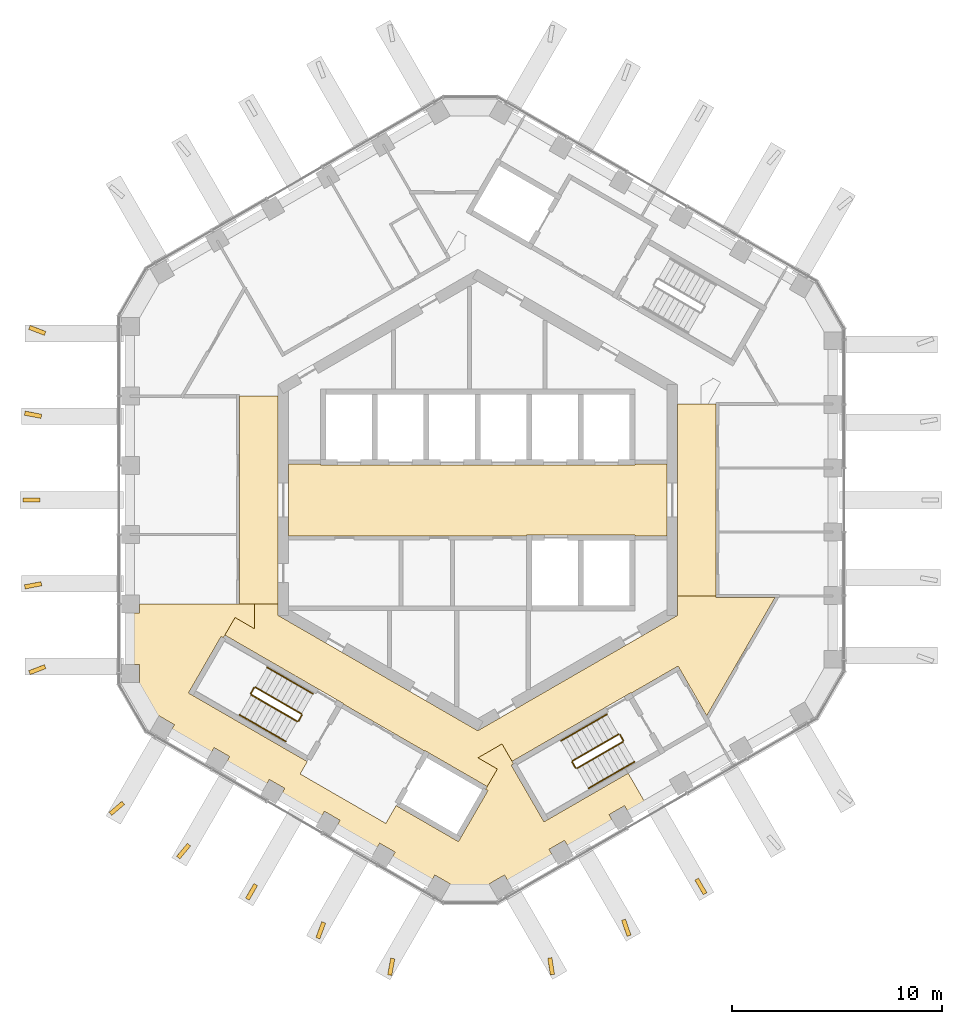
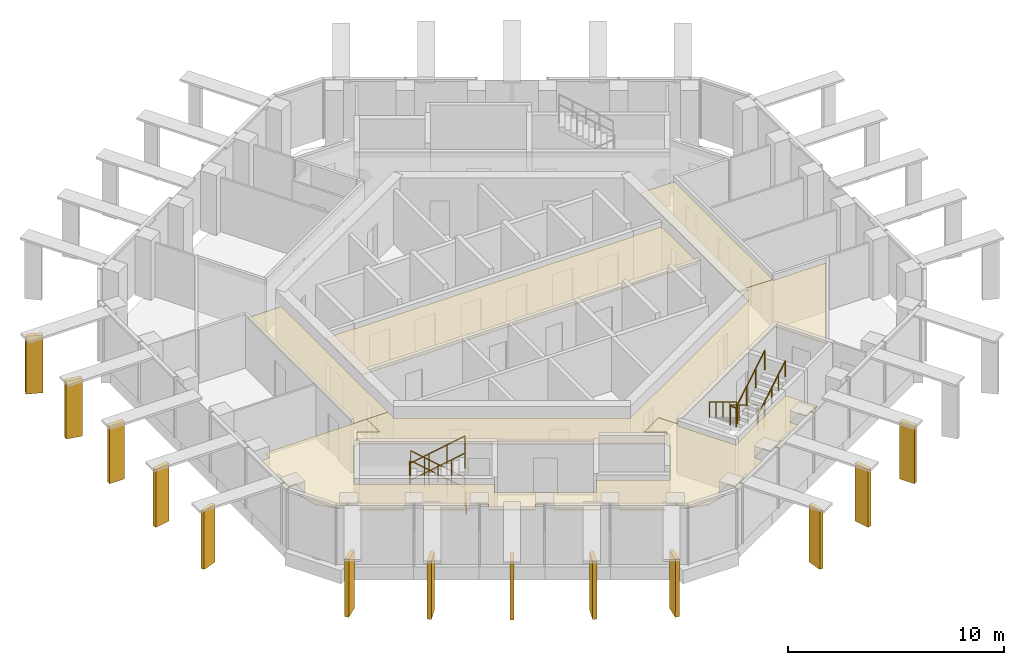
# One storey, part 16 of 18: 16 railings, 13 shading devices, 5 coverings.
"""IFC4 building model written with IfcOpenShell, lengths in metres."""

import ifcopenshell
import ifcopenshell.guid

model = None  # the IFC model being written
_history = None  # IfcOwnerHistory: only IFC2X3 demands one
_inside = {}  # id of a spatial element -> (the spatial element, [elements in it])
_under = {}  # id of a project, library or spatial element -> (it, [spatial elements below it])
_declared = {}  # id of a project -> (the project, [libraries it declares])
_typed = {}  # id of a type object -> (the type object, [elements of that type])
_made_of = {}  # id of a material, layer set ... -> (it, [elements and type objects made of it])


def new_model(schema):
    """Start an empty IFC model of exactly this schema.

    Asked for "IFC4X3", IfcOpenShell would pick the latest addendum, in which some entities
    have other attributes; the version numbers below select the first issue.
    IFC2X3 requires an IfcOwnerHistory on every rooted entity: one is made here for all.
    """
    global model, _history
    if schema == "IFC4X3":
        model = ifcopenshell.file(schema_version=(4, 3, 0, 0))
    else:
        model = ifcopenshell.file(schema=schema)
    _inside.clear()
    _under.clear()
    _declared.clear()
    _typed.clear()
    _made_of.clear()
    _history = None
    if model.schema == "IFC2X3":
        org = make("IfcOrganization", Name="unknown")
        user = make(
            "IfcPersonAndOrganization",
            ThePerson=make("IfcPerson", FamilyName="unknown"),
            TheOrganization=org,
        )
        app = make(
            "IfcApplication",
            ApplicationDeveloper=org,
            Version="unknown",
            ApplicationFullName="unknown",
            ApplicationIdentifier="unknown",
        )
        _history = make(
            "IfcOwnerHistory",
            OwningUser=user,
            OwningApplication=app,
            ChangeAction="ADDED",
            CreationDate=0,
        )
    return model


def make(cls, **values):
    """One entity of the class cls with the attributes given. An attribute that is None is left unset."""
    return model.create_entity(
        cls, **{name: value for name, value in values.items() if value is not None}
    )


def rooted(cls, **values):
    """An entity with a GlobalId (a new one), such as an element, a storey or a relation."""
    return make(cls, GlobalId=ifcopenshell.guid.new(), OwnerHistory=_history, **values)


def si_unit(unit_type, name, prefix=None):
    """IfcSIUnit, for example si_unit("LENGTHUNIT", "METRE", prefix="MILLI")."""
    return make("IfcSIUnit", UnitType=unit_type, Prefix=prefix, Name=name)


def assignment(units):
    """IfcUnitAssignment: the units of a project."""
    return None if units is None else make("IfcUnitAssignment", Units=units)


def point(xyz):
    """IfcCartesianPoint."""
    return None if xyz is None else make("IfcCartesianPoint", Coordinates=xyz)


def direction(xyz):
    """IfcDirection."""
    return None if xyz is None else make("IfcDirection", DirectionRatios=xyz)


def frame(location, z_axis=None, x_axis=None):
    """IfcAxis2Placement3D, a coordinate frame: its origin and axes. An axis left out is left unset."""
    return make(
        "IfcAxis2Placement3D",
        Location=point(location),
        Axis=direction(z_axis),
        RefDirection=direction(x_axis),
    )


def frame_2d(location, x_axis=None):
    """IfcAxis2Placement2D, a coordinate frame in the plane: its origin and x axis."""
    return make(
        "IfcAxis2Placement2D", Location=point(location), RefDirection=direction(x_axis)
    )


def origin():
    """The frame at (0, 0, 0) with its axes left unset."""
    return frame((0.0, 0.0, 0.0))


def origin_2d():
    """The frame at (0, 0) in the plane with its x axis left unset."""
    return frame_2d((0.0, 0.0))


def place(relative_to, where):
    """IfcLocalPlacement: puts the frame where relative to a parent placement (None: the world)."""
    return make(
        "IfcLocalPlacement", PlacementRelTo=relative_to, RelativePlacement=where
    )


def context(
    kind, dimensions, precision=None, world=None, true_north=None, identifier=None
):
    """IfcGeometricRepresentationContext, for example the 3D "Model" context."""
    return make(
        "IfcGeometricRepresentationContext",
        ContextIdentifier=identifier,
        ContextType=kind,
        CoordinateSpaceDimension=dimensions,
        Precision=precision,
        WorldCoordinateSystem=world,
        TrueNorth=true_north,
    )


def subcontext(parent, identifier, kind, view, scale=None):
    """IfcGeometricRepresentationSubContext, for example "Body" below "Model"."""
    return make(
        "IfcGeometricRepresentationSubContext",
        ContextIdentifier=identifier,
        ContextType=kind,
        ParentContext=parent,
        TargetScale=scale,
        TargetView=view,
    )


def project(units=None, contexts=None):
    """IfcProject with its units and contexts."""
    return rooted(
        "IfcProject",
        Name="project",
        RepresentationContexts=contexts,
        UnitsInContext=assignment(units),
    )


def spatial(cls, under=None, at=None, **own):
    """A site, building, storey or space (cls), placed at a placement, below another one or the project."""
    s = rooted(cls, ObjectPlacement=at, **own)
    if under is not None:
        _under.setdefault(under.id(), (under, []))[1].append(s)
    return s


def polyline(points):
    """IfcPolyline through the points."""
    return make("IfcPolyline", Points=[point(p) for p in points])


def profile(cls, at=None, kind="AREA", **sizes):
    """A parametric profile (cls). Its sizes go by their IFC names, for example OverallWidth=200.0."""
    return make(cls, ProfileType=kind, Position=at, **sizes)


def circle(**sizes):
    """IfcCircleProfileDef."""
    return profile("IfcCircleProfileDef", **sizes)


def outline(outer, holes=None, kind="AREA"):
    """IfcArbitraryClosedProfileDef: a profile drawn as a closed curve; with holes, ...WithVoids."""
    if holes is None:
        return make("IfcArbitraryClosedProfileDef", ProfileType=kind, OuterCurve=outer)
    return make(
        "IfcArbitraryProfileDefWithVoids",
        ProfileType=kind,
        OuterCurve=outer,
        InnerCurves=holes,
    )


def extrude(swept, where, along, depth):
    """IfcExtrudedAreaSolid: the profile swept, set in the frame where, extruded along a direction by depth."""
    return make(
        "IfcExtrudedAreaSolid",
        SweptArea=swept,
        Position=where,
        ExtrudedDirection=direction(along),
        Depth=depth,
    )


def shape(context_of_items, identifier, shape_type, items):
    """IfcShapeRepresentation: the items that make up one representation, for example the "Body"."""
    return make(
        "IfcShapeRepresentation",
        ContextOfItems=context_of_items,
        RepresentationIdentifier=identifier,
        RepresentationType=shape_type,
        Items=items,
    )


def material(Name=None, Category=None):
    """IfcMaterial."""
    return make("IfcMaterial", Name=Name, Category=Category)


def layer(
    of_material, thickness, ventilated=None, Name=None, Category=None, Priority=None
):
    """IfcMaterialLayer: one layer of a wall or slab, of a material (None: an air gap)."""
    return make(
        "IfcMaterialLayer",
        Material=of_material,
        LayerThickness=thickness,
        IsVentilated=ventilated,
        Name=Name,
        Category=Category,
        Priority=Priority,
    )


def layer_set(layers, Name=None):
    """IfcMaterialLayerSet."""
    return make("IfcMaterialLayerSet", MaterialLayers=layers, LayerSetName=Name)


def made_of(thing, what):
    """Note that an element or type object is made of a material, layer set ...; save() writes the relation."""
    if what is not None:
        _made_of.setdefault(what.id(), (what, []))[1].append(thing)
    return thing


def type_object(cls, material=None, **own):
    """A type object (cls), such as IfcWallType, which elements share."""
    return made_of(rooted(cls, **own), material)


def element(
    cls,
    number,
    at=None,
    inside=None,
    cuts=None,
    type_object=None,
    material=None,
    context=None,
    identifier="Body",
    shape_type=None,
    held_by="IfcProductDefinitionShape",
    body=None,
    shapes=None,
    **own,
):
    """One element of the class cls, such as IfcWall. Its Tag is "e" and its number.

    at: its placement. inside: the storey or other place that contains it. cuts: it is an
    opening in that element (IfcRelVoidsElement). A single representation is given by context,
    identifier, shape_type and body (its items); several are given by shapes. held_by: the class
    of the entity that holds the representations. save() writes the other relations.
    """
    e = rooted(cls, Tag="e%d" % number, ObjectPlacement=at, **own)
    if body is not None:
        shapes = [shape(context, identifier, shape_type, body)]
    if shapes is not None:
        e.Representation = make(held_by, Representations=shapes)
    if inside is not None:
        _inside.setdefault(inside.id(), (inside, []))[1].append(e)
    if cuts is not None:
        rooted(
            "IfcRelVoidsElement", RelatingBuildingElement=cuts, RelatedOpeningElement=e
        )
    if type_object is not None:
        _typed.setdefault(type_object.id(), (type_object, []))[1].append(e)
    return made_of(e, material)


def aggregate(whole, parts):
    """IfcRelAggregates: a whole, such as a stair, and the parts it consists of."""
    return rooted("IfcRelAggregates", RelatingObject=whole, RelatedObjects=parts)


def save(model, path):
    """Write the relations noted so far, then the file.

    IfcRelAggregates (storeys below a building ...), IfcRelContainedInSpatialStructure (elements
    in a storey), IfcRelDefinesByType, IfcRelAssociatesMaterial and IfcRelDeclares: one each for
    every whole, place, type object, material and project.
    """
    for whole, parts in _under.values():
        aggregate(whole, parts)
    for where, things in _inside.values():
        rooted(
            "IfcRelContainedInSpatialStructure",
            RelatedElements=things,
            RelatingStructure=where,
        )
    for kind, things in _typed.values():
        rooted("IfcRelDefinesByType", RelatedObjects=things, RelatingType=kind)
    for what, things in _made_of.values():
        rooted("IfcRelAssociatesMaterial", RelatedObjects=things, RelatingMaterial=what)
    for by, libraries in _declared.values():
        rooted("IfcRelDeclares", RelatingContext=by, RelatedDefinitions=libraries)
    model.write(path)


model = new_model("IFC4")

# Units and contexts
model_context = context("Model", 3, precision=1e-05, world=origin(), true_north=direction((0.0, 1.0)))
body_context = subcontext(model_context, "Body", "Model", "MODEL_VIEW")
ifc_project = project(units=[si_unit("LENGTHUNIT", "METRE"), si_unit("AREAUNIT", "SQUARE_METRE"), si_unit("VOLUMEUNIT", "CUBIC_METRE"), si_unit("PLANEANGLEUNIT", "RADIAN"), si_unit("MASSUNIT", "GRAM", prefix="KILO")], contexts=[model_context])

# Site, building, storey
site_placement = place(None, origin())
site = spatial("IfcSite", under=ifc_project, at=site_placement, CompositionType="ELEMENT")
building_placement = place(site_placement, origin())
building = spatial("IfcBuilding", under=site, at=building_placement, Name="Ayvan Gate Tower", CompositionType="ELEMENT")
storey_placement = place(building_placement, frame((0.0, 0.0, 239.300048828125)))
storey = spatial("IfcBuildingStorey", under=building, at=storey_placement, Name="L64", CompositionType="ELEMENT", Elevation=239.300048828125)

# Coverings
ifc_material_1 = material(Name="Plasterboard suspended ceiling")
ifc_layer_1 = layer(ifc_material_1, 0.050048828125)
ifc_layer_set_1 = layer_set([ifc_layer_1], Name="Plasterboard suspended ceiling")
covering_type = type_object("IfcCoveringType", Name="CT-SUSP-50", PredefinedType="CEILING", material=ifc_layer_set_1)
covering_1_placement = place(storey_placement, frame((0.0, 0.0, 2.699951171875)))
element("IfcCovering", 1, at=covering_1_placement, inside=storey, type_object=covering_type, Name="Ceiling Lift Lobby L64", PredefinedType="CEILING", context=body_context, shape_type="SweptSolid", body=[
    extrude(outline(polyline([(7.47509765625, -1.675048828125), (2.324951171875, -1.675048828125), (2.324951171875, -1.699951171875), (-9.0, -1.699951171875), (-9.0, 1.699951171875), (-7.47509765625, 1.699951171875), (-7.47509765625, 1.675048828125), (7.47509765625, 1.675048828125), (7.47509765625, 1.699951171875), (9.0, 1.699951171875), (9.0, -1.699951171875), (7.47509765625, -1.699951171875), (7.47509765625, -1.675048828125)])), origin(), (0.0, 0.0, 1.0), 0.050048828125),
])
covering_2_placement = place(storey_placement, frame((0.0, 0.0, 2.699951171875)))
element("IfcCovering", 2, at=covering_2_placement, inside=storey, type_object=covering_type, Name="Ceiling Gallery L64", PredefinedType="CEILING", context=body_context, shape_type="SweptSolid", body=[
    extrude(outline(polyline([(-4.66748046875, -8.27490234375), (0.0, -10.9697265625), (4.66748046875, -8.27490234375), (8.38720703125, -6.127197265625), (9.5, -5.48486328125), (9.5, -4.564208984375), (11.324951171875, -4.564208984375), (11.324951171875, -4.63916015625), (14.128662109375, -4.63916015625), (10.885986328125, -10.25537109375), (9.623779296875, -8.069091796875), (9.52392578125, -7.89599609375), (7.2939453125, -9.183349609375), (7.281494140625, -9.16162109375), (1.630615234375, -12.42431640625), (1.153076171875, -11.59716796875), (0.010009765625, -12.257080078125), (0.930419921875, -12.78857421875), (0.447998046875, -13.624267578125), (-2.284423828125, -12.046630859375), (-2.518310546875, -11.91162109375), (-2.53076171875, -11.933349609375), (-6.384521484375, -9.70849609375), (-6.3720703125, -9.686767578125), (-12.02294921875, -6.42431640625), (-11.540283203125, -5.58837890625), (-10.6201171875, -6.119873046875), (-10.6201171875, -4.93408203125), (-9.5, -4.93408203125), (-9.5, -5.48486328125), (-4.66748046875, -8.27490234375)])), origin(), (0.0, 0.0, 1.0), 0.050048828125),
])
covering_3_placement = place(storey_placement, frame((0.0, 0.0, 2.699951171875)))
element("IfcCovering", 3, at=covering_3_placement, inside=storey, type_object=covering_type, Name="Ceiling Lift Lounge Lobby L64", PredefinedType="CEILING", context=body_context, shape_type="SweptSolid", body=[
    extrude(outline(polyline([(11.324951171875, -4.564208984375), (9.5, -4.564208984375), (9.5, 4.564208984375), (11.324951171875, 4.564208984375), (11.324951171875, -4.489013671875), (11.324951171875, -4.489013671875), (11.324951171875, -4.564208984375)])), origin(), (0.0, 0.0, 1.0), 0.050048828125),
])
covering_4_placement = place(storey_placement, frame((0.0, 0.0, 2.699951171875)))
element("IfcCovering", 4, at=covering_4_placement, inside=storey, type_object=covering_type, Name="Ceiling Lift Lounge Lobby L64", PredefinedType="CEILING", context=body_context, shape_type="SweptSolid", body=[
    extrude(outline(polyline([(-11.324951171875, 4.93408203125), (-9.5, 4.93408203125), (-9.5, -4.93408203125), (-11.324951171875, -4.93408203125), (-11.324951171875, 4.93408203125)])), origin(), (0.0, 0.0, 1.0), 0.050048828125),
])
covering_5_placement = place(storey_placement, frame((0.0, 0.0, 2.699951171875)))
element("IfcCovering", 5, at=covering_5_placement, inside=storey, type_object=covering_type, Name="Ceiling Study Lounge L64", PredefinedType="CEILING", context=body_context, shape_type="SweptSolid", body=[
    extrude(outline(polyline([(-13.53955078125, -9.301513671875), (-8.106201171875, -12.438232421875), (-8.444091796875, -13.023681640625), (-4.3720703125, -15.374755859375), (-3.88427734375, -14.529541015625), (-0.9189453125, -16.24169921875), (-0.803955078125, -16.042236328125), (0.483642578125, -13.812255859375), (0.376220703125, -13.750244140625), (0.38671875, -13.732177734375), (0.931640625, -12.7880859375), (0.011962890625, -12.257080078125), (1.152587890625, -11.5986328125), (1.691650390625, -12.531982421875), (1.7021484375, -12.55029296875), (1.5947265625, -12.6123046875), (3.147216796875, -15.30126953125), (3.346435546875, -15.186279296875), (7.15185546875, -12.9892578125), (8.0048828125, -14.467041015625), (7.206298828125, -14.92822265625), (6.97900390625, -14.534423828125), (6.242919921875, -14.95947265625), (6.47021484375, -15.353271484375), (4.351806640625, -16.576416015625), (4.12451171875, -16.1826171875), (3.38818359375, -16.607666015625), (3.61572265625, -17.001220703125), (1.4970703125, -18.224609375), (1.269775390625, -17.830810546875), (0.53369140625, -18.255615234375), (0.701904296875, -18.546875), (-0.356201171875, -18.830322265625), (-1.46533203125, -18.533203125), (-1.30517578125, -18.255615234375), (-2.041259765625, -17.830810546875), (-2.25390625, -18.19873046875), (-4.140869140625, -17.109375), (-3.928466796875, -16.7412109375), (-4.66455078125, -16.316162109375), (-4.876953125, -16.684326171875), (-6.76416015625, -15.5947265625), (-6.551513671875, -15.226806640625), (-7.28759765625, -14.8017578125), (-7.500244140625, -15.169921875), (-9.38720703125, -14.080078125), (-9.1748046875, -13.712158203125), (-9.910888671875, -13.287109375), (-10.123291015625, -13.6552734375), (-12.010498046875, -12.565673828125), (-11.798095703125, -12.19775390625), (-12.5341796875, -11.772705078125), (-12.74658203125, -12.140625), (-14.6337890625, -11.05126953125), (-14.421142578125, -10.68310546875), (-15.1572265625, -10.25830078125), (-15.3173828125, -10.53564453125), (-16.12939453125, -9.723388671875), (-16.412841796875, -8.665771484375), (-16.07666015625, -8.665771484375), (-16.07666015625, -7.815673828125), (-16.531494140625, -7.815673828125), (-16.531494140625, -5.369384765625), (-16.07666015625, -5.369384765625), (-16.07666015625, -4.93505859375), (-10.62109375, -4.93505859375), (-10.62109375, -6.1181640625), (-11.540771484375, -5.587158203125), (-12.09619140625, -6.54931640625), (-12.20361328125, -6.4873046875), (-13.756103515625, -9.17626953125), (-13.53955078125, -9.30126953125), (-13.53955078125, -9.301513671875)])), origin(), (0.0, 0.0, 1.0), 0.050048828125),
])

# Shading devices
ifc_material_2 = material(Name="Bronze anodised aluminium", Category="aluminium")
ifc_layer_2 = layer(ifc_material_2, 0.199951171875)
ifc_layer_set_2 = layer_set([ifc_layer_2], Name="Bronze anodised aluminium")
shading_device_type = type_object("IfcShadingDeviceType", Name="Crown frame rib 800 x 200", PredefinedType="USERDEFINED", material=ifc_layer_set_2)
shading_device_1_placement = place(storey_placement, frame((-20.532470703125, 8.013671875, 0.0), z_axis=(0.359336881578, 0.933207799461, 0.000456686408), x_axis=(-0.933207896767, 0.359336919078, -6.5025e-08)))
element("IfcShadingDevice", 6, at=shading_device_1_placement, inside=storey, type_object=shading_device_type, Name="CROWN FRAME rib FR02.4.1", ObjectType="FIN", PredefinedType="USERDEFINED", context=body_context, shape_type="SweptSolid", body=[
    extrude(outline(polyline([(0.0, 0.0), (0.8000607028774714, 0.0), (0.798131761136053, 3.28002969081948), (-0.0018412130014091401, 3.2800295867765126), (0.0, 0.0)])), origin(), (0.0, 0.0, -1.0), 0.199951171875),
])
shading_device_2_placement = place(storey_placement, frame((-20.73046875, 4.077392578125, 0.0), z_axis=(0.188247583994, 0.982121511954, 0.000427641614), x_axis=(-0.982121601758, 0.188247601207, 0.0)))
element("IfcShadingDevice", 7, at=shading_device_2_placement, inside=storey, type_object=shading_device_type, Name="CROWN FRAME rib FR02.4.2", ObjectType="FIN", PredefinedType="USERDEFINED", context=body_context, shape_type="SweptSolid", body=[
    extrude(outline(polyline([(0.0, 0.0), (0.8001948745126715, 0.0), (0.7984345076135025, 3.280029596796574), (-0.0017603668991690103, 3.280029596796574), (0.0, 0.0)])), origin(), (0.0, 0.0, -1.0), 0.199951171875),
])
shading_device_3_placement = place(storey_placement, frame((-20.815673828125, 0.099853515625, 0.0), z_axis=(0.0, 0.999999900277, 0.000446594671), x_axis=(-1.0, 0.0, 0.0)))
element("IfcShadingDevice", 8, at=shading_device_3_placement, inside=storey, type_object=shading_device_type, Name="CROWN FRAME rib FR02.4.3", ObjectType="FIN", PredefinedType="USERDEFINED", context=body_context, shape_type="SweptSolid", body=[
    extrude(outline(polyline([(0.0, 0.0), (0.800048828125, 0.0), (0.79833984375, 3.280029623970722), (-0.001708984375, 3.280029623970722), (0.0, 0.0)])), origin(), (0.0, 0.0, -1.0), 0.199951171875),
])
shading_device_4_placement = place(storey_placement, frame((-20.768310546875, -3.88134765625, 0.0), z_axis=(-0.188422949175, 0.982087873553, 0.00044815709), x_axis=(-0.982087972181, -0.188422968073, -5.4277e-08)))
element("IfcShadingDevice", 9, at=shading_device_4_placement, inside=storey, type_object=shading_device_type, Name="CROWN FRAME rib FR02.4.4", ObjectType="FIN", PredefinedType="USERDEFINED", context=body_context, shape_type="SweptSolid", body=[
    extrude(outline(polyline([(0.0, 0.0), (0.7999550941844358, 1.3552527156068805e-20), (0.7982667840911782, 3.280029669590569), (-0.001974079365780412, 3.28002958273751), (0.0, 0.0)])), origin(), (0.0, 0.0, -1.0), 0.199951171875),
])
shading_device_5_placement = place(storey_placement, frame((-20.6044921875, -7.8271484375, 0.0), z_axis=(-0.359469749893, 0.933156617294, 0.000475933558), x_axis=(-0.93315672298, -0.359469790605, 0.0)))
element("IfcShadingDevice", 10, at=shading_device_5_placement, inside=storey, type_object=shading_device_type, Name="CROWN FRAME rib FR02.4.5", ObjectType="FIN", PredefinedType="USERDEFINED", context=body_context, shape_type="SweptSolid", body=[
    extrude(outline(polyline([(0.0, 0.0), (0.8000607109875282, 2.710505431213761e-20), (0.7980457798698567, 3.280029668359294), (-0.002014931117671575, 3.280029668359294), (0.0, 0.0)])), origin(), (0.0, 0.0, -1.0), 0.199951171875),
])
shading_device_6_placement = place(storey_placement, frame((-16.9228515625, -14.324462890625, 0.0), z_axis=(-0.649471081325, 0.760386156759, 0.000455118551), x_axis=(-0.760386235494, -0.649471148606, 5.2792e-08)))
element("IfcShadingDevice", 11, at=shading_device_6_placement, inside=storey, type_object=shading_device_type, Name="CROWN FRAME rib FR02.5.1", ObjectType="FIN", PredefinedType="USERDEFINED", context=body_context, shape_type="SweptSolid", body=[
    extrude(outline(polyline([(0.0, 0.0), (0.8001969175372731, 2.710505431213761e-20), (0.7981821166982094, 3.280029594438036), (-0.0018562385469234628, 3.280029678918406), (0.0, 0.0)])), origin(), (0.0, 0.0, -1.0), 0.199951171875),
])
shading_device_7_placement = place(storey_placement, frame((-13.805908203125, -16.3232421875, 0.0), z_axis=(-0.766479790468, 0.642268253649, 0.000470275819), x_axis=(-0.642268324634, -0.766479875255, 1.01092e-07)))
element("IfcShadingDevice", 12, at=shading_device_7_placement, inside=storey, type_object=shading_device_type, Name="CROWN FRAME rib FR02.5.2", ObjectType="FIN", PredefinedType="USERDEFINED", context=body_context, shape_type="SweptSolid", body=[
    extrude(outline(polyline([(0.0, 0.0), (0.7999829105644476, 0.0), (0.7981977502847141, 3.2800295788885006), (-0.0017548351941326236, 3.280029740628651), (0.0, 0.0)])), origin(), (0.0, 0.0, -1.0), 0.199951171875),
])
shading_device_8_placement = place(storey_placement, frame((-10.642822265625, -18.23388671875, 0.0), z_axis=(-0.866094024789, 0.499880906485, 0.000468567436), x_axis=(-0.499880961361, -0.866094119867, 0.0)))
element("IfcShadingDevice", 13, at=shading_device_8_placement, inside=storey, type_object=shading_device_type, Name="CROWN FRAME rib FR02.5.3", ObjectType="FIN", PredefinedType="USERDEFINED", context=body_context, shape_type="SweptSolid", body=[
    extrude(outline(polyline([(0.0, 0.0), (0.7999951481672025, -2.710505431213761e-20), (0.7982624306350122, 3.2800296569492), (-0.0017327175321902944, 3.2800296569492), (0.0, 0.0)])), origin(), (0.0, 0.0, -1.0), 0.199951171875),
])
shading_device_9_placement = place(storey_placement, frame((-7.421142578125, -20.049560546875, 0.0), z_axis=(-0.939427441383, 0.34274756877, 0.000431833397), x_axis=(-0.342747600727, -0.939427528975, 0.0)))
element("IfcShadingDevice", 14, at=shading_device_9_placement, inside=storey, type_object=shading_device_type, Name="CROWN FRAME rib FR02.5.4", ObjectType="FIN", PredefinedType="USERDEFINED", context=body_context, shape_type="SweptSolid", body=[
    extrude(outline(polyline([(0.0, 0.0), (0.7999178441897365, -1.3552527156068805e-20), (0.7981016531617354, 3.28002960270511), (-0.0018161910280010875, 3.28002960270511), (0.0, 0.0)])), origin(), (0.0, 0.0, -1.0), 0.199951171875),
])
shading_device_10_placement = place(storey_placement, frame((-4.140380859375, -21.781494140625, 0.0), z_axis=(-0.983236341293, 0.182335106742, 0.000453883648), x_axis=(-0.182335125554, -0.983236442566, -6.8091e-08)))
element("IfcShadingDevice", 15, at=shading_device_10_placement, inside=storey, type_object=shading_device_type, Name="CROWN FRAME rib FR02.5.5", ObjectType="FIN", PredefinedType="USERDEFINED", context=body_context, shape_type="SweptSolid", body=[
    extrude(outline(polyline([(0.0, 0.0), (0.8000547419501696, 0.0), (0.7980180595987281, 3.2800296890733187), (-0.001992166939929189, 3.2800295801225063), (0.0, 0.0)])), origin(), (0.0, 0.0, -1.0), 0.199951171875),
])
shading_device_11_placement = place(storey_placement, frame((3.326171875, -21.78857421875, 0.0), z_axis=(-0.987861633226, -0.155335672324, 0.000471702956), x_axis=(0.155335689605, -0.987861743127, 0.0)))
element("IfcShadingDevice", 16, at=shading_device_11_placement, inside=storey, type_object=shading_device_type, Name="CROWN FRAME rib FR02.6.1", ObjectType="FIN", PredefinedType="USERDEFINED", context=body_context, shape_type="SweptSolid", body=[
    extrude(outline(polyline([(0.0, 0.0), (0.7999937325470513, 0.0), (0.7980127566583497, 3.2800296617843534), (-0.001980975888701576, 3.2800296617843534), (0.0, 0.0)])), origin(), (0.0, 0.0, -1.0), 0.199951171875),
])
shading_device_12_placement = place(storey_placement, frame((6.834228515625, -19.991943359375, 0.0), z_axis=(-0.944720828281, -0.327875494182, 0.000465753803), x_axis=(0.327875529715, -0.944720930759, -6.7136e-08)))
element("IfcShadingDevice", 17, at=shading_device_12_placement, inside=storey, type_object=shading_device_type, Name="CROWN FRAME rib FR02.6.2", ObjectType="FIN", PredefinedType="USERDEFINED", context=body_context, shape_type="SweptSolid", body=[
    extrude(outline(polyline([(0.0, 0.0), (0.8000474415389882, 0.0), (0.798291609452186, 3.280029706231833), (-0.0018358798235490225, 3.2800295988027854), (0.0, 0.0)])), origin(), (0.0, 0.0, -1.0), 0.199951171875),
])
shading_device_13_placement = place(storey_placement, frame((10.3212890625, -18.076904296875, 0.0), z_axis=(-0.865989815991, -0.500061432071, 0.000450284208), x_axis=(0.500061482803, -0.865989903762, 9.387e-08)))
element("IfcShadingDevice", 18, at=shading_device_13_placement, inside=storey, type_object=shading_device_type, Name="CROWN FRAME rib FR02.6.3", ObjectType="FIN", PredefinedType="USERDEFINED", context=body_context, shape_type="SweptSolid", body=[
    extrude(outline(polyline([(0.0, 0.0), (0.7999057927943113, 2.710505431213761e-20), (0.7981253761651348, 3.2800295544779487), (-0.0018697546225748766, 3.2800297046600084), (0.0, 0.0)])), origin(), (0.0, 0.0, -1.0), 0.199951171875),
])

# Railings
ifc_material_3 = material(Name="Stainless steel balustrade", Category="steel")
railing_type_1 = type_object("IfcRailingType", Name="RL-GUARD-1100", PredefinedType="GUARDRAIL", material=ifc_material_3)
railing_1_placement = place(storey_placement, frame((-8.381103515625, -10.16650390625, 0.169921875)))
element("IfcRailing", 19, at=railing_1_placement, inside=storey, type_object=railing_type_1, Name="L64 STS2 stair guard 1", PredefinedType="GUARDRAIL", context=body_context, shape_type="SweptSolid", body=[
    extrude(circle(Radius=0.02392578125, at=origin_2d()), frame((0.0, 0.0, 1.076171875), z_axis=(-0.740261155115, 0.427395438142, 0.518986090067), x_axis=(-0.500004791531, -0.866022637375, 0.0)), (0.0, 0.0, 1.0), 2.947998046875),
    extrude(circle(Radius=0.02099609375, at=origin_2d()), origin(), (0.0, 0.0, 1.0), 1.052001953125),
    extrude(circle(Radius=0.02099609375, at=origin_2d()), frame((-0.7275390625, 0.419921875, 0.510009765625)), (0.0, 0.0, 1.0), 1.052001953125),
    extrude(circle(Radius=0.02099609375, at=origin_2d()), frame((-1.454833984375, 0.840087890625, 1.02001953125)), (0.0, 0.0, 1.0), 1.052001953125),
    extrude(circle(Radius=0.02099609375, at=origin_2d()), frame((-2.182373046875, 1.260009765625, 1.530029296875)), (0.0, 0.0, 1.0), 1.052001953125),
])
railing_2_placement = place(storey_placement, frame((-10.6318359375, -8.9248046875, 1.699951171875)))
element("IfcRailing", 20, at=railing_2_placement, inside=storey, type_object=railing_type_1, Name="L64 STS2 stair guard 2", PredefinedType="GUARDRAIL", context=body_context, shape_type="SweptSolid", body=[
    extrude(circle(Radius=0.02392578125, at=origin_2d()), frame((0.0, 0.0, 1.076171875), z_axis=(-0.499949632511, -0.866054481515, 0.0), x_axis=(0.866054481515, -0.499949632511, 0.0)), (0.0, 0.0, 1.0), 0.31005859375),
    extrude(circle(Radius=0.02099609375, at=origin_2d()), origin(), (0.0, 0.0, 1.0), 1.052001953125),
    extrude(circle(Radius=0.02099609375, at=origin_2d()), frame((-0.155029296875, -0.2685546875, 0.0)), (0.0, 0.0, 1.0), 1.052001953125),
])
railing_3_placement = place(storey_placement, frame((-10.7685546875, -9.261474609375, 1.869873046875)))
element("IfcRailing", 21, at=railing_3_placement, inside=storey, type_object=railing_type_1, Name="L64 STS2 stair guard 3", PredefinedType="GUARDRAIL", context=body_context, shape_type="SweptSolid", body=[
    extrude(circle(Radius=0.02392578125, at=origin_2d()), frame((0.0, 0.0, 1.076171875), z_axis=(0.740261155115, -0.427395438142, 0.518986090067), x_axis=(0.500004791531, 0.866022637375, 0.0)), (0.0, 0.0, 1.0), 2.947998046875),
    extrude(circle(Radius=0.02099609375, at=origin_2d()), origin(), (0.0, 0.0, 1.0), 1.052001953125),
    extrude(circle(Radius=0.02099609375, at=origin_2d()), frame((0.7275390625, -0.419921875, 0.510009765625)), (0.0, 0.0, 1.0), 1.052001953125),
    extrude(circle(Radius=0.02099609375, at=origin_2d()), frame((1.454833984375, -0.840087890625, 1.02001953125)), (0.0, 0.0, 1.0), 1.052001953125),
    extrude(circle(Radius=0.02099609375, at=origin_2d()), frame((2.182373046875, -1.260009765625, 1.530029296875)), (0.0, 0.0, 1.0), 1.052001953125),
])
railing_4_placement = place(storey_placement, frame((-8.36279296875, -10.23486328125, 0.0)))
element("IfcRailing", 22, at=railing_4_placement, inside=storey, type_object=railing_type_1, Name="L64 STS2 stair guard 4", PredefinedType="GUARDRAIL", context=body_context, shape_type="SweptSolid", body=[
    extrude(circle(Radius=0.02392578125, at=origin_2d()), frame((0.0, 0.0, 1.076171875), z_axis=(-0.500290723946, -0.86585748916, 0.0), x_axis=(0.86585748916, -0.500290723946, 0.0)), (0.0, 0.0, 1.0), 0.309814453125),
    extrude(circle(Radius=0.02099609375, at=origin_2d()), origin(), (0.0, 0.0, 1.0), 1.052001953125),
    extrude(circle(Radius=0.02099609375, at=origin_2d()), frame((-0.155029296875, -0.268310546875, 0.0)), (0.0, 0.0, 1.0), 1.052001953125),
])
railing_5_placement = place(storey_placement, frame((6.6923828125, -11.1416015625, 0.169921875)))
element("IfcRailing", 23, at=railing_5_placement, inside=storey, type_object=railing_type_1, Name="L64 STS3 stair guard 1", PredefinedType="GUARDRAIL", context=body_context, shape_type="SweptSolid", body=[
    extrude(circle(Radius=0.02392578125, at=origin_2d()), frame((0.0, 0.0, 1.076171875), z_axis=(-0.740261155115, -0.427395438142, 0.518986090067), x_axis=(0.500004791531, -0.866022637375, 0.0)), (0.0, 0.0, 1.0), 2.947998046875),
    extrude(circle(Radius=0.02099609375, at=origin_2d()), origin(), (0.0, 0.0, 1.0), 1.052001953125),
    extrude(circle(Radius=0.02099609375, at=origin_2d()), frame((-0.7275390625, -0.419921875, 0.510009765625)), (0.0, 0.0, 1.0), 1.052001953125),
    extrude(circle(Radius=0.02099609375, at=origin_2d()), frame((-1.454833984375, -0.840087890625, 1.02001953125)), (0.0, 0.0, 1.0), 1.052001953125),
    extrude(circle(Radius=0.02099609375, at=origin_2d()), frame((-2.182373046875, -1.260009765625, 1.530029296875)), (0.0, 0.0, 1.0), 1.052001953125),
])
railing_6_placement = place(storey_placement, frame((4.49169921875, -12.4697265625, 1.699951171875)))
element("IfcRailing", 24, at=railing_6_placement, inside=storey, type_object=railing_type_1, Name="L64 STS3 stair guard 2", PredefinedType="GUARDRAIL", context=body_context, shape_type="SweptSolid", body=[
    extrude(circle(Radius=0.02392578125, at=origin_2d()), frame((0.0, 0.0, 1.076171875), z_axis=(0.499949632511, -0.866054481515, 0.0), x_axis=(0.866054481515, 0.499949632511, 0.0)), (0.0, 0.0, 1.0), 0.31005859375),
    extrude(circle(Radius=0.02099609375, at=origin_2d()), origin(), (0.0, 0.0, 1.0), 1.052001953125),
    extrude(circle(Radius=0.02099609375, at=origin_2d()), frame((0.155029296875, -0.2685546875, 0.0)), (0.0, 0.0, 1.0), 1.052001953125),
])
railing_7_placement = place(storey_placement, frame((4.715087890625, -12.756591796875, 1.869873046875)))
element("IfcRailing", 25, at=railing_7_placement, inside=storey, type_object=railing_type_1, Name="L64 STS3 stair guard 3", PredefinedType="GUARDRAIL", context=body_context, shape_type="SweptSolid", body=[
    extrude(circle(Radius=0.02392578125, at=origin_2d()), frame((0.0, 0.0, 1.076171875), z_axis=(0.740261155115, 0.427395438142, 0.518986090067), x_axis=(-0.500004791531, 0.866022637375, 0.0)), (0.0, 0.0, 1.0), 2.947998046875),
    extrude(circle(Radius=0.02099609375, at=origin_2d()), origin(), (0.0, 0.0, 1.0), 1.052001953125),
    extrude(circle(Radius=0.02099609375, at=origin_2d()), frame((0.7275390625, 0.419921875, 0.510009765625)), (0.0, 0.0, 1.0), 1.052001953125),
    extrude(circle(Radius=0.02099609375, at=origin_2d()), frame((1.454833984375, 0.840087890625, 1.02001953125)), (0.0, 0.0, 1.0), 1.052001953125),
    extrude(circle(Radius=0.02099609375, at=origin_2d()), frame((2.182373046875, 1.260009765625, 1.530029296875)), (0.0, 0.0, 1.0), 1.052001953125),
])
railing_8_placement = place(storey_placement, frame((6.7607421875, -11.159912109375, 0.0)))
element("IfcRailing", 26, at=railing_8_placement, inside=storey, type_object=railing_type_1, Name="L64 STS3 stair guard 4", PredefinedType="GUARDRAIL", context=body_context, shape_type="SweptSolid", body=[
    extrude(circle(Radius=0.02392578125, at=origin_2d()), frame((0.0, 0.0, 1.076171875), z_axis=(0.500290723946, -0.86585748916, 0.0), x_axis=(0.86585748916, 0.500290723946, 0.0)), (0.0, 0.0, 1.0), 0.309814453125),
    extrude(circle(Radius=0.02099609375, at=origin_2d()), origin(), (0.0, 0.0, 1.0), 1.052001953125),
    extrude(circle(Radius=0.02099609375, at=origin_2d()), frame((0.155029296875, -0.268310546875, 0.0)), (0.0, 0.0, 1.0), 1.052001953125),
])
railing_type_2 = type_object("IfcRailingType", Name="RL-HANDRAIL-900", PredefinedType="HANDRAIL", material=ifc_material_3)
railing_9_placement = place(storey_placement, frame((-7.8310546875, -9.2138671875, 0.169921875)))
element("IfcRailing", 27, at=railing_9_placement, inside=storey, type_object=railing_type_2, Name="L64 STS2 stair handrail 1", PredefinedType="HANDRAIL", context=body_context, shape_type="SweptSolid", body=[
    extrude(circle(Radius=0.02392578125, at=origin_2d()), frame((0.0, 0.0, 0.8759765625), z_axis=(-0.740292964666, 0.42728318766, 0.519033143459), x_axis=(-0.499890179513, -0.866088799389, 0.0)), (0.0, 0.0, 1.0), 1.47412109375),
    extrude(circle(Radius=0.02099609375, at=origin_2d()), origin(), (0.0, 0.0, 1.0), 0.851806640625),
    extrude(circle(Radius=0.02099609375, at=origin_2d()), frame((-0.545654296875, 0.31494140625, 0.382568359375)), (0.0, 0.0, 1.0), 0.851806640625),
    extrude(circle(Radius=0.02099609375, at=origin_2d()), frame((-1.09130859375, 0.6298828125, 0.76513671875)), (0.0, 0.0, 1.0), 0.851806640625),
])
railing_10_placement = place(storey_placement, frame((-8.92236328125, -8.583984375, 0.93505859375)))
element("IfcRailing", 28, at=railing_10_placement, inside=storey, type_object=railing_type_2, Name="L64 STS2 stair handrail 2", PredefinedType="HANDRAIL", context=body_context, shape_type="SweptSolid", body=[
    extrude(circle(Radius=0.02392578125, at=origin_2d()), frame((0.0, 0.0, 0.8759765625), z_axis=(-0.740229329464, 0.427507697325, 0.518939021976), x_axis=(-0.50011940292, -0.865956455501, 0.0)), (0.0, 0.0, 1.0), 1.473876953125),
    extrude(circle(Radius=0.02099609375, at=origin_2d()), origin(), (0.0, 0.0, 1.0), 0.851806640625),
    extrude(circle(Radius=0.02099609375, at=origin_2d()), frame((-0.54541015625, 0.31494140625, 0.38232421875)), (0.0, 0.0, 1.0), 0.851806640625),
    extrude(circle(Radius=0.02099609375, at=origin_2d()), frame((-1.091064453125, 0.630126953125, 0.764892578125)), (0.0, 0.0, 1.0), 0.851806640625),
])
railing_11_placement = place(storey_placement, frame((-11.318603515625, -10.214111328125, 1.869873046875)))
element("IfcRailing", 29, at=railing_11_placement, inside=storey, type_object=railing_type_2, Name="L64 STS2 stair handrail 3", PredefinedType="HANDRAIL", context=body_context, shape_type="SweptSolid", body=[
    extrude(circle(Radius=0.02392578125, at=origin_2d()), frame((0.0, 0.0, 0.8759765625), z_axis=(0.740240574041, -0.427418550694, 0.518996411419), x_axis=(0.500035496587, 0.86600490885, 0.0)), (0.0, 0.0, 1.0), 1.474365234375),
    extrude(circle(Radius=0.02099609375, at=origin_2d()), origin(), (0.0, 0.0, 1.0), 0.851806640625),
    extrude(circle(Radius=0.02099609375, at=origin_2d()), frame((0.545654296875, -0.31494140625, 0.382568359375)), (0.0, 0.0, 1.0), 0.851806640625),
    extrude(circle(Radius=0.02099609375, at=origin_2d()), frame((1.09130859375, -0.630126953125, 0.76513671875)), (0.0, 0.0, 1.0), 0.851806640625),
])
railing_12_placement = place(storey_placement, frame((-10.227294921875, -10.84423828125, 2.635009765625)))
element("IfcRailing", 30, at=railing_12_placement, inside=storey, type_object=railing_type_2, Name="L64 STS2 stair handrail 4", PredefinedType="HANDRAIL", context=body_context, shape_type="SweptSolid", body=[
    extrude(circle(Radius=0.02392578125, at=origin_2d()), frame((0.0, 0.0, 0.8759765625), z_axis=(0.740356597536, -0.427319915356, 0.518912129772), x_axis=(0.499890179513, 0.866088799389, 0.0)), (0.0, 0.0, 1.0), 1.47412109375),
    extrude(circle(Radius=0.02099609375, at=origin_2d()), origin(), (0.0, 0.0, 1.0), 0.851806640625),
    extrude(circle(Radius=0.02099609375, at=origin_2d()), frame((0.545654296875, -0.31494140625, 0.38232421875)), (0.0, 0.0, 1.0), 0.851806640625),
    extrude(circle(Radius=0.02099609375, at=origin_2d()), frame((1.09130859375, -0.6298828125, 0.764892578125)), (0.0, 0.0, 1.0), 0.851806640625),
])
railing_13_placement = place(storey_placement, frame((6.142333984375, -10.18896484375, 0.169921875)))
element("IfcRailing", 31, at=railing_13_placement, inside=storey, type_object=railing_type_2, Name="L64 STS3 stair handrail 1", PredefinedType="HANDRAIL", context=body_context, shape_type="SweptSolid", body=[
    extrude(circle(Radius=0.02392578125, at=origin_2d()), frame((0.0, 0.0, 0.8759765625), z_axis=(-0.740218099111, -0.427335577468, 0.519096782863), x_axis=(0.499974077718, -0.866040369504, 0.0)), (0.0, 0.0, 1.0), 1.473876953125),
    extrude(circle(Radius=0.02099609375, at=origin_2d()), origin(), (0.0, 0.0, 1.0), 0.851806640625),
    extrude(circle(Radius=0.02099609375, at=origin_2d()), frame((-0.54541015625, -0.31494140625, 0.382568359375)), (0.0, 0.0, 1.0), 0.851806640625),
    extrude(circle(Radius=0.02099609375, at=origin_2d()), frame((-1.091064453125, -0.6298828125, 0.76513671875)), (0.0, 0.0, 1.0), 0.851806640625),
])
railing_14_placement = place(storey_placement, frame((5.05126953125, -10.81884765625, 0.93505859375)))
element("IfcRailing", 32, at=railing_14_placement, inside=storey, type_object=railing_type_2, Name="L64 STS3 stair handrail 2", PredefinedType="HANDRAIL", context=body_context, shape_type="SweptSolid", body=[
    extrude(circle(Radius=0.02392578125, at=origin_2d()), frame((0.0, 0.0, 0.8759765625), z_axis=(-0.740304193401, -0.427455284825, 0.518875399983), x_axis=(0.500035496587, -0.86600490885, 0.0)), (0.0, 0.0, 1.0), 1.47412109375),
    extrude(circle(Radius=0.02099609375, at=origin_2d()), origin(), (0.0, 0.0, 1.0), 0.851806640625),
    extrude(circle(Radius=0.02099609375, at=origin_2d()), frame((-0.545654296875, -0.31494140625, 0.38232421875)), (0.0, 0.0, 1.0), 0.851806640625),
    extrude(circle(Radius=0.02099609375, at=origin_2d()), frame((-1.09130859375, -0.630126953125, 0.764892578125)), (0.0, 0.0, 1.0), 0.851806640625),
])
railing_15_placement = place(storey_placement, frame((5.264892578125, -13.709228515625, 1.869873046875)))
element("IfcRailing", 33, at=railing_15_placement, inside=storey, type_object=railing_type_2, Name="L64 STS3 stair handrail 3", PredefinedType="HANDRAIL", context=body_context, shape_type="SweptSolid", body=[
    extrude(circle(Radius=0.02392578125, at=origin_2d()), frame((0.0, 0.0, 0.8759765625), z_axis=(0.740240574041, 0.427418550694, 0.518996411419), x_axis=(-0.500035496587, 0.86600490885, 0.0)), (0.0, 0.0, 1.0), 1.474365234375),
    extrude(circle(Radius=0.02099609375, at=origin_2d()), origin(), (0.0, 0.0, 1.0), 0.851806640625),
    extrude(circle(Radius=0.02099609375, at=origin_2d()), frame((0.545654296875, 0.31494140625, 0.382568359375)), (0.0, 0.0, 1.0), 0.851806640625),
    extrude(circle(Radius=0.02099609375, at=origin_2d()), frame((1.09130859375, 0.630126953125, 0.76513671875)), (0.0, 0.0, 1.0), 0.851806640625),
])
railing_16_placement = place(storey_placement, frame((6.356201171875, -13.0791015625, 2.635009765625)))
element("IfcRailing", 34, at=railing_16_placement, inside=storey, type_object=railing_type_2, Name="L64 STS3 stair handrail 4", PredefinedType="HANDRAIL", context=body_context, shape_type="SweptSolid", body=[
    extrude(circle(Radius=0.02392578125, at=origin_2d()), frame((0.0, 0.0, 0.8759765625), z_axis=(0.740281741151, 0.427372318678, 0.518975765278), x_axis=(-0.499974077718, 0.866040369504, 0.0)), (0.0, 0.0, 1.0), 1.473876953125),
    extrude(circle(Radius=0.02099609375, at=origin_2d()), origin(), (0.0, 0.0, 1.0), 0.851806640625),
    extrude(circle(Radius=0.02099609375, at=origin_2d()), frame((0.54541015625, 0.31494140625, 0.38232421875)), (0.0, 0.0, 1.0), 0.851806640625),
    extrude(circle(Radius=0.02099609375, at=origin_2d()), frame((1.091064453125, 0.6298828125, 0.764892578125)), (0.0, 0.0, 1.0), 0.851806640625),
])

save(model, "model.ifc")
